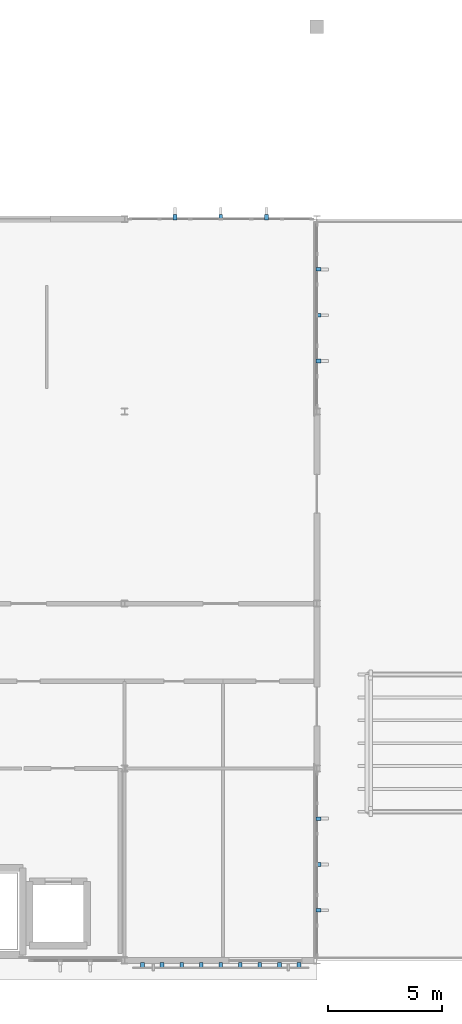
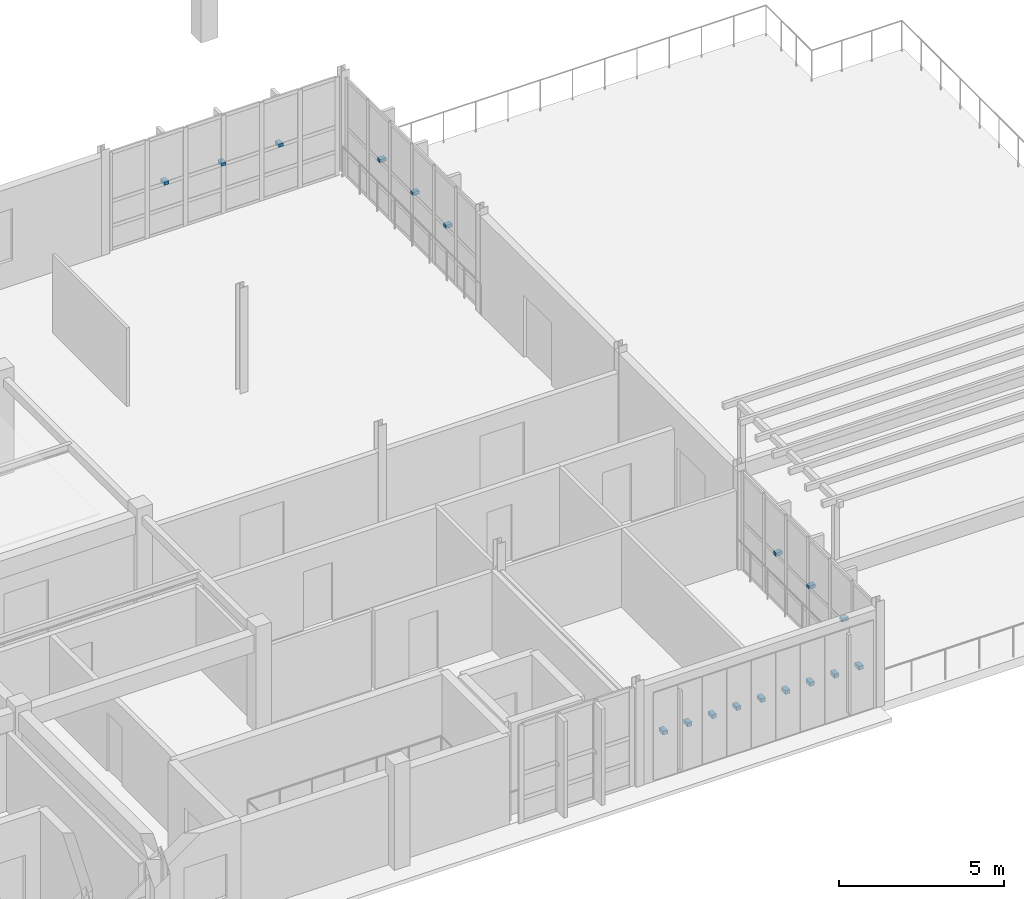
# One storey, part 28 of 35: 18 discrete accessories.
"""IFC4 building model written with IfcOpenShell, lengths in metres."""

from ifc_helpers import new_model, si_unit, direction, frame, origin, origin_2d, place, context, subcontext, project, spatial, rectangle, extrude, material, type_object, element, save


model = new_model("IFC4")

# Units and contexts
model_context = context("Model", 3, precision=1e-05, world=origin(), true_north=direction((0.0, 1.0)))
body_context = subcontext(model_context, "Body", "Model", "MODEL_VIEW")
ifc_project = project(units=[si_unit("LENGTHUNIT", "METRE"), si_unit("AREAUNIT", "SQUARE_METRE"), si_unit("VOLUMEUNIT", "CUBIC_METRE"), si_unit("PLANEANGLEUNIT", "RADIAN"), si_unit("MASSUNIT", "GRAM", prefix="KILO")], contexts=[model_context])

# Site, building, storey
site_placement = place(None, origin())
site = spatial("IfcSite", under=ifc_project, at=site_placement, CompositionType="ELEMENT")
building_placement = place(site_placement, origin())
building = spatial("IfcBuilding", under=site, at=building_placement, Name="Tizgana Railside Sports Hall", CompositionType="ELEMENT")
storey_placement = place(building_placement, frame((0.0, 0.0, 15.89990234375)))
storey = spatial("IfcBuildingStorey", under=building, at=storey_placement, Name="L03", CompositionType="ELEMENT", Elevation=15.89990234375)

# Discrete accessories
ifc_material = material(Name="Steel S355J2", Category="steel")
discrete_accessory_type = type_object("IfcDiscreteAccessoryType", Name="Stainless Facade Support Bracket", PredefinedType="BRACKET", material=ifc_material)
for number, where, z_axis, x_axis, name in (
    (1, (79.022216796875, -0.199951171875, 1.75), (0.0, 0.0, 1.0), (-1.0, 0.0, 0.0), "L03 Screen Bracket"),
    (2, (78.166748046875, -0.199951171875, 1.75), (0.0, 0.0, 1.0), (-1.0, 0.0, 0.0), "L03 Screen Bracket"),
    (3, (77.31103515625, -0.199951171875, 1.75), (0.0, 0.0, 1.0), (-1.0, 0.0, 0.0), "L03 Screen Bracket"),
    (4, (76.45556640625, -0.199951171875, 1.75), (0.0, 0.0, 1.0), (-1.0, 0.0, 0.0), "L03 Screen Bracket"),
    (5, (75.60009765625, -0.199951171875, 1.75), (0.0, 0.0, 1.0), (-1.0, 0.0, 0.0), "L03 Screen Bracket"),
    (6, (74.744384765625, -0.199951171875, 1.75), (0.0, 0.0, 1.0), (-1.0, 0.0, 0.0), "L03 Screen Bracket"),
    (7, (73.888916015625, -0.199951171875, 1.75), (0.0, 0.0, 1.0), (-1.0, 0.0, 0.0), "L03 Screen Bracket"),
    (8, (73.033203125, -0.199951171875, 1.75), (0.0, 0.0, 1.0), (-1.0, 0.0, 0.0), "L03 Screen Bracket"),
    (9, (72.177734375, -0.199951171875, 1.75), (0.0, 0.0, 1.0), (-1.0, 0.0, 0.0), "L03 Screen Bracket"),
):
    element("IfcDiscreteAccessory", number, at=place(storey_placement, frame(where, z_axis=z_axis, x_axis=x_axis)), inside=storey, type_object=discrete_accessory_type, Name=name, PredefinedType="BRACKET", context=body_context, shape_type="SweptSolid", body=[
        extrude(rectangle(XDim=0.159912109375, YDim=0.25, at=origin_2d()), origin(), (0.0, 0.0, 1.0), 0.139892578125),
    ])
for number, where, z_axis, x_axis, name in (
    (10, (73.597412109375, 32.47998046875, 1.760009765625), (0.0, 0.0, 1.0), (1.0, 0.0, 0.0), "L03 Fin Bracket"),
    (11, (75.60009765625, 32.47998046875, 1.760009765625), (0.0, 0.0, 1.0), (1.0, 0.0, 0.0), "L03 Fin Bracket"),
    (12, (77.6025390625, 32.47998046875, 1.760009765625), (0.0, 0.0, 1.0), (1.0, 0.0, 0.0), "L03 Fin Bracket"),
    (13, (79.8798828125, 6.202392578125, 1.760009765625), (0.0, 0.0, 1.0), (0.0, -1.0, 0.0), "L03 Fin Bracket"),
    (14, (79.8798828125, 4.199951171875, 1.760009765625), (0.0, 0.0, 1.0), (0.0, -1.0, 0.0), "L03 Fin Bracket"),
    (15, (79.8798828125, 2.197509765625, 1.760009765625), (0.0, 0.0, 1.0), (0.0, -1.0, 0.0), "L03 Fin Bracket"),
    (16, (79.8798828125, 30.202392578125, 1.760009765625), (0.0, 0.0, 1.0), (0.0, -1.0, 0.0), "L03 Fin Bracket"),
    (17, (79.8798828125, 28.199951171875, 1.760009765625), (0.0, 0.0, 1.0), (0.0, -1.0, 0.0), "L03 Fin Bracket"),
    (18, (79.8798828125, 26.197509765625, 1.760009765625), (0.0, 0.0, 1.0), (0.0, -1.0, 0.0), "L03 Fin Bracket"),
):
    element("IfcDiscreteAccessory", number, at=place(storey_placement, frame(where, z_axis=z_axis, x_axis=x_axis)), inside=storey, type_object=discrete_accessory_type, Name=name, PredefinedType="BRACKET", context=body_context, shape_type="SweptSolid", body=[
        extrude(rectangle(XDim=0.159912109375, YDim=0.219970703125, at=origin_2d()), origin(), (0.0, 0.0, 1.0), 0.1201171875),
    ])

save(model, "model.ifc")
